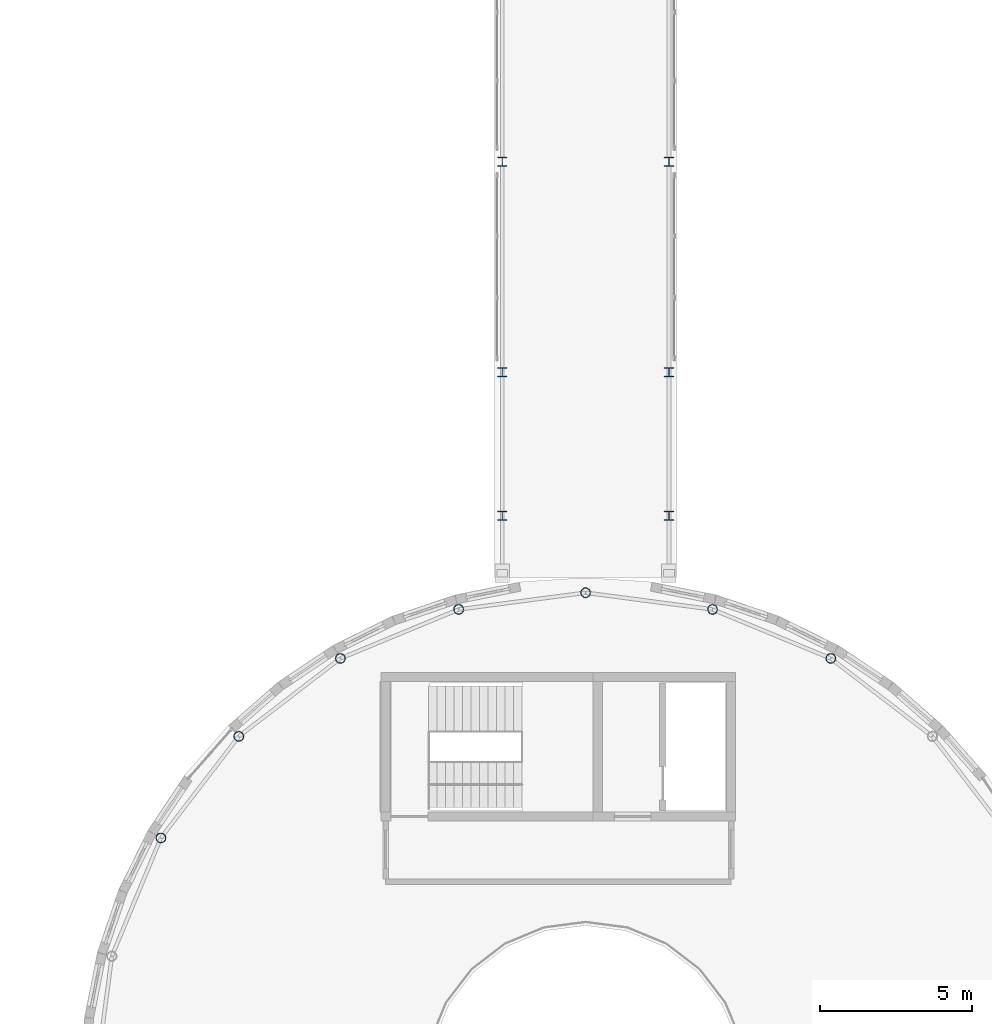
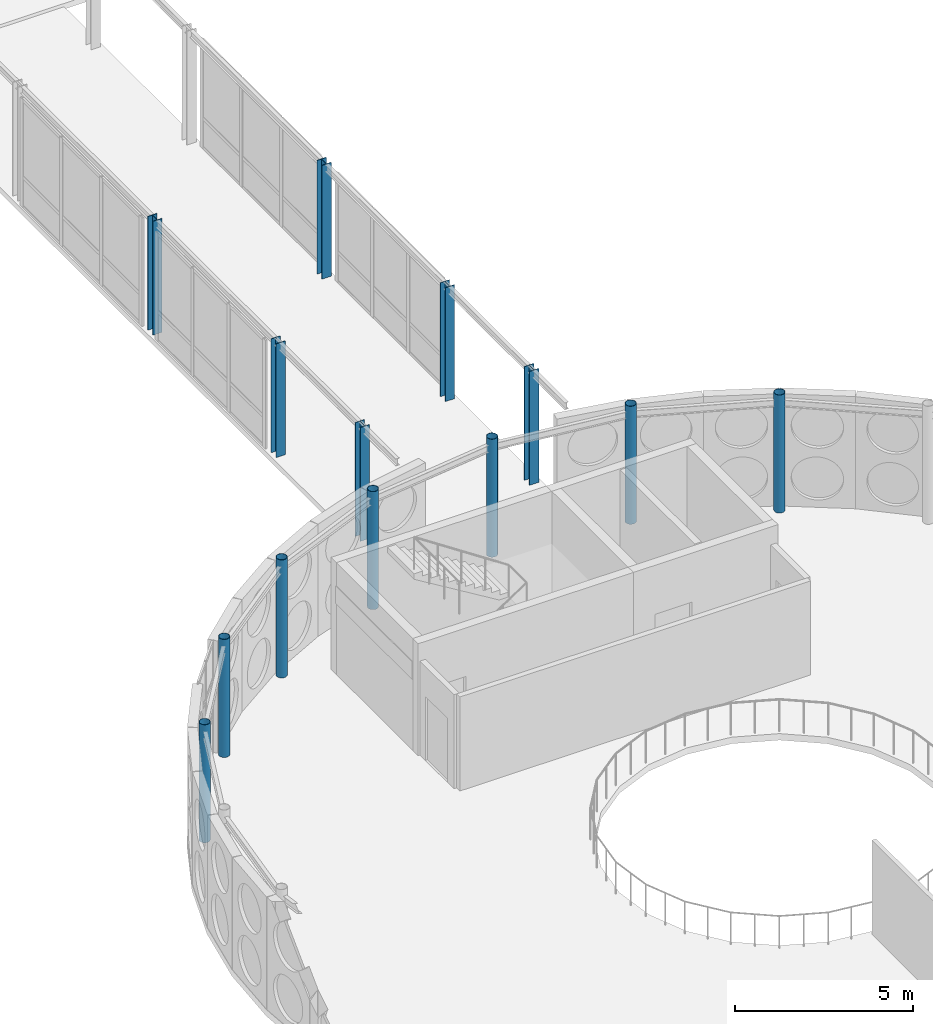
# One storey, part 6 of 189: 13 columns.
"""IFC4 building model written with IfcOpenShell, lengths in metres."""

from ifc_helpers import new_model, si_unit, direction, frame, origin, origin_2d, place, context, subcontext, project, spatial, hollow_circle, i_section, extrude, material, material_profile, profile_set, type_object, element, save


model = new_model("IFC4")

# Units and contexts
model_context = context("Model", 3, precision=1e-05, world=origin(), true_north=direction((0.0, 1.0)))
body_context = subcontext(model_context, "Body", "Model", "MODEL_VIEW")
ifc_project = project(units=[si_unit("LENGTHUNIT", "METRE"), si_unit("AREAUNIT", "SQUARE_METRE"), si_unit("VOLUMEUNIT", "CUBIC_METRE"), si_unit("PLANEANGLEUNIT", "RADIAN"), si_unit("MASSUNIT", "GRAM", prefix="KILO")], contexts=[model_context])

# Site, building, storey
site_placement = place(None, origin())
site = spatial("IfcSite", under=ifc_project, at=site_placement, CompositionType="ELEMENT")
building_placement = place(site_placement, origin())
building = spatial("IfcBuilding", under=site, at=building_placement, Name="Montecoro Central Library", CompositionType="ELEMENT")
storey_placement = place(building_placement, frame((0.0, 0.0, 9.179931640625)))
storey = spatial("IfcBuildingStorey", under=building, at=storey_placement, Name="L02", CompositionType="ELEMENT", Elevation=9.179931640625)

# Columns
ifc_material = material(Name="Steel S355", Category="steel")
ifc_material_profile_1 = material_profile(ifc_material, hollow_circle(Radius=0.161865234375, WallThickness=0.012451171875, at=origin_2d()), Name="CHS 323.9x12.5")
ifc_profile_set_1 = profile_set([ifc_material_profile_1], Name="Steel S355")
column_type_1 = type_object("IfcColumnType", Name="COL-CHS324", PredefinedType="COLUMN", material=ifc_profile_set_1)
for number, where, z_axis, x_axis, name in (
    (1, (99.68994140625, 49.412109375, 0.0), (0.0, 0.0, 1.0), (1.0, 0.0, 0.0), "V1-L02-DCOL-05"),
    (2, (95.7880859375, 51.029052734375, 0.0), (0.0, 0.0, 1.0), (1.0, 0.0, 0.0), "V1-L02-DCOL-06"),
    (3, (91.60009765625, 51.580078125, 0.0), (0.0, 0.0, 1.0), (1.0, 0.0, 0.0), "V1-L02-DCOL-07"),
    (4, (87.412109375, 51.029052734375, 0.0), (0.0, 0.0, 1.0), (1.0, 0.0, 0.0), "V1-L02-DCOL-08"),
    (5, (83.510009765625, 49.412109375, 0.0), (0.0, 0.0, 1.0), (1.0, 0.0, 0.0), "V1-L02-DCOL-09"),
    (6, (80.158935546875, 46.841064453125, 0.0), (0.0, 0.0, 1.0), (1.0, 0.0, 0.0), "V1-L02-DCOL-10"),
    (7, (77.587890625, 43.489990234375, 0.0), (0.0, 0.0, 1.0), (1.0, 0.0, 0.0), "V1-L02-DCOL-11"),
):
    element("IfcColumn", number, at=place(storey_placement, frame(where, z_axis=z_axis, x_axis=x_axis)), inside=storey, type_object=column_type_1, Name=name, PredefinedType="COLUMN", context=body_context, shape_type="SweptSolid", body=[
        extrude(hollow_circle(Radius=0.161865234375, WallThickness=0.012451171875, at=origin_2d()), origin(), (0.0, 0.0, 1.0), 4.05517578125),
    ])
ifc_material_profile_2 = material_profile(ifc_material, i_section(OverallWidth=0.300048828125, OverallDepth=0.300048828125, WebThickness=0.010986328125, FlangeThickness=0.01904296875, at=origin_2d()), Name="HEB 300")
ifc_profile_set_2 = profile_set([ifc_material_profile_2], Name="Steel S355")
column_type_2 = type_object("IfcColumnType", Name="COL-HEB300", PredefinedType="COLUMN", material=ifc_profile_set_2)
for number, where, z_axis, x_axis, name in (
    (8, (88.85009765625, 54.1201171875, 0.0), (0.0, 0.0, 1.0), (1.0, 0.0, 0.0), "BR-N-L02-COL-888-541"),
    (9, (94.35009765625, 54.1201171875, 0.0), (0.0, 0.0, 1.0), (1.0, 0.0, 0.0), "BR-N-L02-COL-943-541"),
    (10, (88.85009765625, 58.860107421875, 0.0), (0.0, 0.0, 1.0), (1.0, 0.0, 0.0), "BR-N-L02-COL-888-588"),
    (11, (94.35009765625, 58.860107421875, 0.0), (0.0, 0.0, 1.0), (1.0, 0.0, 0.0), "BR-N-L02-COL-943-588"),
    (12, (88.85009765625, 65.800048828125, 0.0), (0.0, 0.0, 1.0), (1.0, 0.0, 0.0), "BR-N-L02-COL-888-658"),
    (13, (94.35009765625, 65.800048828125, 0.0), (0.0, 0.0, 1.0), (1.0, 0.0, 0.0), "BR-N-L02-COL-943-658"),
):
    element("IfcColumn", number, at=place(storey_placement, frame(where, z_axis=z_axis, x_axis=x_axis)), inside=storey, type_object=column_type_2, Name=name, PredefinedType="COLUMN", context=body_context, shape_type="SweptSolid", body=[
        extrude(i_section(OverallWidth=0.300048828125, OverallDepth=0.300048828125, WebThickness=0.010986328125, FlangeThickness=0.01904296875, at=origin_2d()), origin(), (0.0, 0.0, 1.0), 3.907958984375),
    ])

save(model, "model.ifc")
